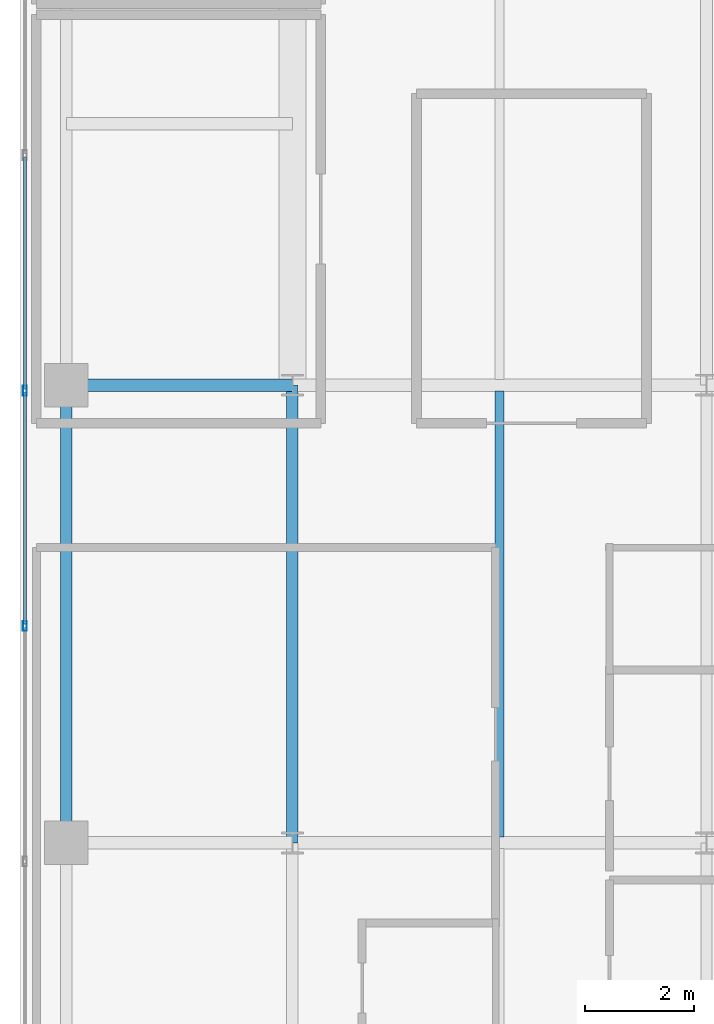
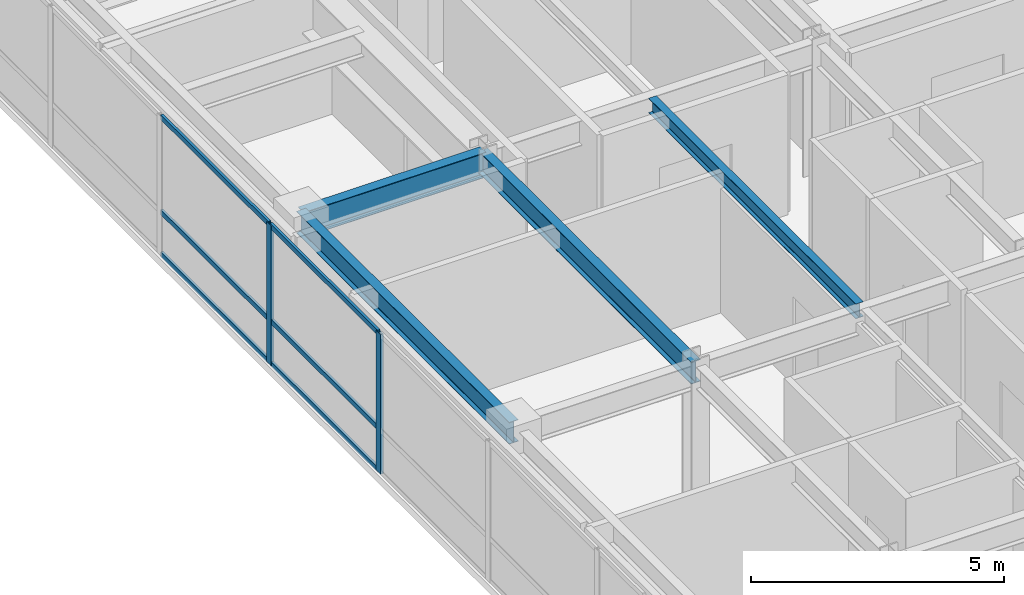
# One storey, part 9 of 24: 8 members, 4 beams, 1 element without a shape of its own.
"""IFC4 building model written with IfcOpenShell, lengths in metres."""

from ifc_helpers import new_model, si_unit, direction, frame, origin, origin_2d, place, context, subcontext, project, spatial, hollow_rectangle, i_section, extrude, source, transform, mapped, material, layer, layer_set, material_profile, profile_set, type_object, type_shapes, element, aggregate, save


model = new_model("IFC4")

# Units and contexts
model_context = context("Model", 3, precision=1e-05, world=origin(), true_north=direction((0.0, 1.0)))
body_context = subcontext(model_context, "Body", "Model", "MODEL_VIEW")
ifc_project = project(units=[si_unit("LENGTHUNIT", "METRE"), si_unit("AREAUNIT", "SQUARE_METRE"), si_unit("VOLUMEUNIT", "CUBIC_METRE"), si_unit("PLANEANGLEUNIT", "RADIAN"), si_unit("MASSUNIT", "GRAM", prefix="KILO")], contexts=[model_context])

# Site, building, storey
site_placement = place(None, origin())
site = spatial("IfcSite", under=ifc_project, at=site_placement, CompositionType="ELEMENT")
building_placement = place(site_placement, origin())
building = spatial("IfcBuilding", under=site, at=building_placement, Name="Tolvann Quenvar Hotel", CompositionType="ELEMENT")
storey_placement = place(building_placement, frame((0.0, 0.0, 194.64990234375)))
storey = spatial("IfcBuildingStorey", under=building, at=storey_placement, Name="L51", CompositionType="ELEMENT", Elevation=194.64990234375)

# Beams
ifc_material_1 = material(Name="Steel Grade 350", Category="steel")
ifc_material_profile_1 = material_profile(ifc_material_1, i_section(OverallWidth=0.208984375, OverallDepth=0.528076171875, WebThickness=0.009521484375, FlangeThickness=0.01318359375, FilletRadius=0.013916015625, at=origin_2d()), Name="530UB82")
ifc_profile_set_1 = profile_set([ifc_material_profile_1], Name="Steel Grade 350")
beam_type_1 = type_object("IfcBeamType", Name="BM_SPAND_530UB82", PredefinedType="SPANDREL", material=ifc_profile_set_1)
shared_shape_1 = source(origin(), body_context, "Body", "SweptSolid", [
    extrude(i_section(OverallWidth=0.208984375, OverallDepth=0.528076171875, WebThickness=0.009521484375, FlangeThickness=0.01318359375, FilletRadius=0.013916015625, at=origin_2d()), origin(), (0.0, 0.0, 1.0), 8.39990234375),
])
type_shapes(beam_type_1, [shared_shape_1])
beam_1_placement = place(storey_placement, frame((3.449951171875, 16.0, 3.106201171875), z_axis=(0.0, 1.0, 0.0), x_axis=(-1.0, 0.0, 0.0)))
element("IfcBeam", 1, at=beam_1_placement, inside=storey, type_object=beam_type_1, Name="BM-L51-NS-B4-B5", PredefinedType="SPANDREL", context=body_context, shape_type="MappedRepresentation", body=[
    mapped(shared_shape_1, transform((0.0, 0.0, 0.0), x_axis=(1.0, 0.0, 0.0), y_axis=(0.0, 1.0, 0.0), z_axis=(0.0, 0.0, 1.0), scale=1.0)),
])
ifc_material_profile_2 = material_profile(ifc_material_1, i_section(OverallWidth=0.208984375, OverallDepth=0.532958984375, WebThickness=0.01025390625, FlangeThickness=0.015625, FilletRadius=0.013916015625, at=origin_2d()), Name="530UB92")
ifc_profile_set_2 = profile_set([ifc_material_profile_2], Name="Steel Grade 350")
beam_type_2 = type_object("IfcBeamType", Name="BM_GIRD_530UB92", PredefinedType="BEAM", material=ifc_profile_set_2)
shared_shape_2 = source(origin(), body_context, "Body", "SweptSolid", [
    extrude(i_section(OverallWidth=0.208984375, OverallDepth=0.532958984375, WebThickness=0.01025390625, FlangeThickness=0.015625, FilletRadius=0.013916015625, at=origin_2d()), origin(), (0.0, 0.0, 1.0), 8.39990234375),
])
type_shapes(beam_type_2, [shared_shape_2])
beam_2_placement = place(storey_placement, frame((7.60009765625, 16.0, 3.103515625), z_axis=(0.0, 1.0, 0.0), x_axis=(-1.0, 0.0, 0.0)))
element("IfcBeam", 2, at=beam_2_placement, inside=storey, type_object=beam_type_2, Name="BM-L51-NS-C4-C5", PredefinedType="BEAM", context=body_context, shape_type="MappedRepresentation", body=[
    mapped(shared_shape_2, transform((0.0, 0.0, 0.0), x_axis=(1.0, 0.0, 0.0), y_axis=(0.0, 1.0, 0.0), z_axis=(0.0, 0.0, 1.0), scale=1.0)),
])
ifc_material_profile_3 = material_profile(ifc_material_1, i_section(OverallWidth=0.22802734375, OverallDepth=0.60205078125, WebThickness=0.010498046875, FlangeThickness=0.014892578125, FilletRadius=0.013916015625, at=origin_2d()), Name="610UB101")
ifc_profile_set_3 = profile_set([ifc_material_profile_3], Name="Steel Grade 350")
beam_type_3 = type_object("IfcBeamType", Name="BM_GIRD_610UB101", PredefinedType="BEAM", material=ifc_profile_set_3)
shared_shape_3 = source(origin(), body_context, "Body", "SweptSolid", [
    extrude(i_section(OverallWidth=0.22802734375, OverallDepth=0.60205078125, WebThickness=0.010498046875, FlangeThickness=0.014892578125, FilletRadius=0.013916015625, at=origin_2d()), origin(), (0.0, 0.0, 1.0), 4.150146484375),
])
type_shapes(beam_type_3, [shared_shape_3])
beam_3_placement = place(storey_placement, frame((3.449951171875, 24.39990234375, 3.069091796875), z_axis=(1.0, 0.0, 0.0), x_axis=(0.0, 1.0, 0.0)))
element("IfcBeam", 3, at=beam_3_placement, inside=storey, type_object=beam_type_3, Name="BM-L51-EW-5-B5-C5", PredefinedType="BEAM", context=body_context, shape_type="MappedRepresentation", body=[
    mapped(shared_shape_3, transform((0.0, 0.0, 0.0), x_axis=(1.0, 0.0, 0.0), y_axis=(0.0, 1.0, 0.0), z_axis=(0.0, 0.0, 1.0), scale=1.0)),
])
ifc_material_profile_4 = material_profile(ifc_material_1, i_section(OverallWidth=0.172119140625, OverallDepth=0.35888671875, WebThickness=0.008056640625, FlangeThickness=0.012939453125, FilletRadius=0.011474609375, at=origin_2d()), Name="360UB57")
ifc_profile_set_4 = profile_set([ifc_material_profile_4], Name="Steel Grade 350")
beam_type_4 = type_object("IfcBeamType", Name="BM_JOIST_360UB57", PredefinedType="JOIST", material=ifc_profile_set_4)
shared_shape_4 = source(origin(), body_context, "Body", "SweptSolid", [
    extrude(i_section(OverallWidth=0.172119140625, OverallDepth=0.35888671875, WebThickness=0.008056640625, FlangeThickness=0.012939453125, FilletRadius=0.011474609375, at=origin_2d()), origin(), (0.0, 0.0, 1.0), 8.18408203125),
])
type_shapes(beam_type_4, [shared_shape_4])
beam_4_placement = place(storey_placement, frame((11.39990234375, 16.10791015625, 3.190673828125), z_axis=(0.0, 1.0, 0.0), x_axis=(-1.0, 0.0, 0.0)))
element("IfcBeam", 4, at=beam_4_placement, inside=storey, type_object=beam_type_4, Name="BJ-L51-114-160", PredefinedType="JOIST", context=body_context, shape_type="MappedRepresentation", body=[
    mapped(shared_shape_4, transform((0.0, 0.0, 0.0), x_axis=(1.0, 0.0, 0.0), y_axis=(0.0, 1.0, 0.0), z_axis=(0.0, 0.0, 1.0), scale=1.0)),
])

# Curtain wall, members
ifc_material_2 = material(Name="Thermally broken anodised architectural aluminium 6063-T6 and laminated low-E glass", Category="aluminium")
ifc_layer = layer(ifc_material_2, 0.179931640625)
ifc_layer_set = layer_set([ifc_layer], Name="Thermally broken anodised architectural aluminium 6063-T6 and laminated low-E glass")
curtain_wall_type = type_object("IfcCurtainWallType", Name="CW_SYS_BAND_04", PredefinedType="USERDEFINED", material=ifc_layer_set)
curtain_wall_placement = place(storey_placement, origin())
curtain_wall = element("IfcCurtainWall", 5, at=curtain_wall_placement, inside=storey, type_object=curtain_wall_type, Name="Curtain Wall CW-BAND-04 (CWR-L51-E23)", ObjectType="UNITISED CURTAIN WALL", PredefinedType="USERDEFINED")
ifc_material_3 = material(Name="Anodised architectural aluminium 6063-T6 framing", Category="aluminium")
ifc_material_profile_5 = material_profile(ifc_material_3, hollow_rectangle(XDim=0.070068359375, YDim=0.179931640625, WallThickness=0.00390625, at=origin_2d()), Name="180x70x4RHS")
ifc_profile_set_5 = profile_set([ifc_material_profile_5], Name="Anodised architectural aluminium 6063-T6 framing")
member_type_1 = type_object("IfcMemberType", Name="CW_MULL_180x70", PredefinedType="MULLION", material=ifc_profile_set_5)
shared_shape_5 = source(origin(), body_context, "Body", "SweptSolid", [
    extrude(hollow_rectangle(XDim=0.070068359375, YDim=0.179931640625, WallThickness=0.00390625, at=origin_2d()), origin(), (0.0, 0.0, 1.0), 3.3701171875),
])
type_shapes(member_type_1, [shared_shape_5])
member_1_placement = place(storey_placement, frame((2.68994140625, 24.300048828125, 0.0), z_axis=(0.0, 0.0, 1.0), x_axis=(1.0, 0.0, 0.0)))
member_1 = element("IfcMember", 6, at=member_1_placement, type_object=member_type_1, Name="CW-BAND-04 mullion 5", PredefinedType="MULLION", context=body_context, shape_type="MappedRepresentation", body=[
    mapped(shared_shape_5, transform((0.0, 0.0, 0.0), x_axis=(1.0, 0.0, 0.0), y_axis=(0.0, 1.0, 0.0), z_axis=(0.0, 0.0, 1.0), scale=1.0)),
])
member_2_placement = place(storey_placement, frame((2.68994140625, 19.979248046875, 0.0), z_axis=(0.0, 0.0, 1.0), x_axis=(1.0, 0.0, 0.0)))
member_2 = element("IfcMember", 7, at=member_2_placement, type_object=member_type_1, Name="CW-BAND-04 mullion 6", PredefinedType="MULLION", context=body_context, shape_type="MappedRepresentation", body=[
    mapped(shared_shape_5, transform((0.0, 0.0, 0.0), x_axis=(1.0, 0.0, 0.0), y_axis=(0.0, 1.0, 0.0), z_axis=(0.0, 0.0, 1.0), scale=1.0)),
])
ifc_material_profile_6 = material_profile(ifc_material_3, hollow_rectangle(XDim=0.06005859375, YDim=0.1201171875, WallThickness=0.00341796875, at=origin_2d()), Name="120x60x3.5RHS")
ifc_profile_set_6 = profile_set([ifc_material_profile_6], Name="Anodised architectural aluminium 6063-T6 framing")
member_type_2 = type_object("IfcMemberType", Name="CW_TRAN_120x60", PredefinedType="USERDEFINED", material=ifc_profile_set_6)
shared_shape_6 = source(origin(), body_context, "Body", "SweptSolid", [
    extrude(hollow_rectangle(XDim=0.06005859375, YDim=0.1201171875, WallThickness=0.00341796875, at=origin_2d()), origin(), (0.0, 0.0, 1.0), 4.250732421875),
])
member_3_placement = place(storey_placement, frame((2.68994140625, 28.585693359375, 0.030029296875), z_axis=(0.0, -1.0, 0.0), x_axis=(1.0, 0.0, 0.0)))
member_3 = element("IfcMember", 8, at=member_3_placement, type_object=member_type_2, Name="CW-BAND-04 transom 4.1", ObjectType="TRANSOM", PredefinedType="USERDEFINED", context=body_context, shape_type="MappedRepresentation", body=[
    mapped(shared_shape_6, transform((0.0, 0.0, 0.0), x_axis=(1.0, 0.0, 0.0), y_axis=(0.0, 1.0, 0.0), z_axis=(0.0, 0.0, 1.0), scale=1.0)),
])
member_4_placement = place(storey_placement, frame((2.68994140625, 28.585693359375, 1.050048828125), z_axis=(0.0, -1.0, 0.0), x_axis=(1.0, 0.0, 0.0)))
member_4 = element("IfcMember", 9, at=member_4_placement, type_object=member_type_2, Name="CW-BAND-04 transom 4.2", ObjectType="TRANSOM", PredefinedType="USERDEFINED", context=body_context, shape_type="MappedRepresentation", body=[
    mapped(shared_shape_6, transform((0.0, 0.0, 0.0), x_axis=(1.0, 0.0, 0.0), y_axis=(0.0, 1.0, 0.0), z_axis=(0.0, 0.0, 1.0), scale=1.0)),
])
member_5_placement = place(storey_placement, frame((2.68994140625, 28.585693359375, 3.340087890625), z_axis=(0.0, -1.0, 0.0), x_axis=(1.0, 0.0, 0.0)))
member_5 = element("IfcMember", 10, at=member_5_placement, type_object=member_type_2, Name="CW-BAND-04 transom 4.3", ObjectType="TRANSOM", PredefinedType="USERDEFINED", context=body_context, shape_type="MappedRepresentation", body=[
    mapped(shared_shape_6, transform((0.0, 0.0, 0.0), x_axis=(1.0, 0.0, 0.0), y_axis=(0.0, 1.0, 0.0), z_axis=(0.0, 0.0, 1.0), scale=1.0)),
])
shared_shape_7 = source(origin(), body_context, "Body", "SweptSolid", [
    extrude(hollow_rectangle(XDim=0.06005859375, YDim=0.1201171875, WallThickness=0.00341796875, at=origin_2d()), origin(), (0.0, 0.0, 1.0), 4.25048828125),
])
type_shapes(member_type_2, [shared_shape_6, shared_shape_7])
member_6_placement = place(storey_placement, frame((2.68994140625, 24.264892578125, 0.030029296875), z_axis=(0.0, -1.0, 0.0), x_axis=(1.0, 0.0, 0.0)))
member_6 = element("IfcMember", 11, at=member_6_placement, type_object=member_type_2, Name="CW-BAND-04 transom 5.1", ObjectType="TRANSOM", PredefinedType="USERDEFINED", context=body_context, shape_type="MappedRepresentation", body=[
    mapped(shared_shape_7, transform((0.0, 0.0, 0.0), x_axis=(1.0, 0.0, 0.0), y_axis=(0.0, 1.0, 0.0), z_axis=(0.0, 0.0, 1.0), scale=1.0)),
])
member_7_placement = place(storey_placement, frame((2.68994140625, 24.264892578125, 1.050048828125), z_axis=(0.0, -1.0, 0.0), x_axis=(1.0, 0.0, 0.0)))
member_7 = element("IfcMember", 12, at=member_7_placement, type_object=member_type_2, Name="CW-BAND-04 transom 5.2", ObjectType="TRANSOM", PredefinedType="USERDEFINED", context=body_context, shape_type="MappedRepresentation", body=[
    mapped(shared_shape_7, transform((0.0, 0.0, 0.0), x_axis=(1.0, 0.0, 0.0), y_axis=(0.0, 1.0, 0.0), z_axis=(0.0, 0.0, 1.0), scale=1.0)),
])
member_8_placement = place(storey_placement, frame((2.68994140625, 24.264892578125, 3.340087890625), z_axis=(0.0, -1.0, 0.0), x_axis=(1.0, 0.0, 0.0)))
member_8 = element("IfcMember", 13, at=member_8_placement, type_object=member_type_2, Name="CW-BAND-04 transom 5.3", ObjectType="TRANSOM", PredefinedType="USERDEFINED", context=body_context, shape_type="MappedRepresentation", body=[
    mapped(shared_shape_7, transform((0.0, 0.0, 0.0), x_axis=(1.0, 0.0, 0.0), y_axis=(0.0, 1.0, 0.0), z_axis=(0.0, 0.0, 1.0), scale=1.0)),
])
aggregate(curtain_wall, [member_1, member_2, member_3, member_4, member_5, member_6, member_7, member_8])

save(model, "model.ifc")
